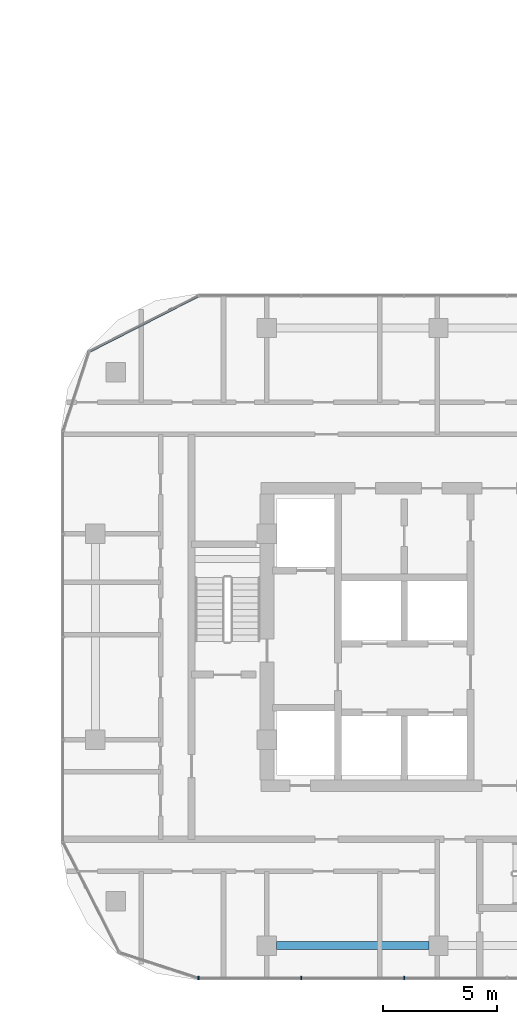
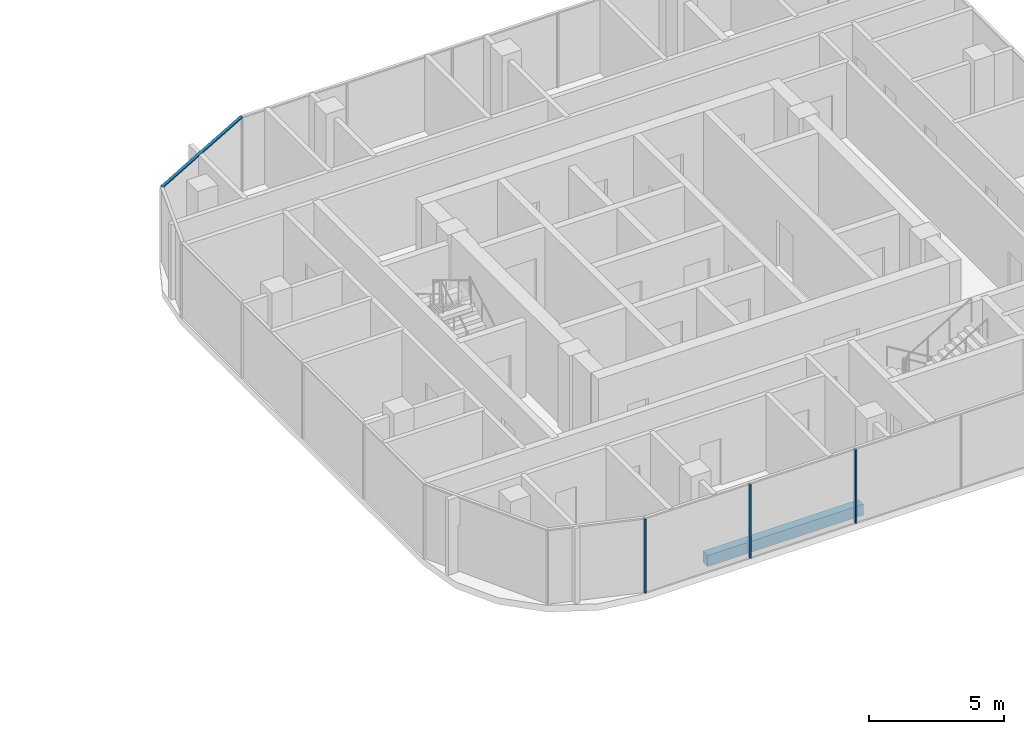
# One storey, part 10 of 33: 4 members, 1 beam, 2 elements without a shape of their own.
"""IFC4 building model written with IfcOpenShell, lengths in metres."""

from ifc_helpers import new_model, si_unit, direction, frame, origin, origin_2d, place, context, subcontext, project, spatial, rectangle, extrude, material, material_profile, profile_set, type_object, element, aggregate, save


model = new_model("IFC4")

# Units and contexts
model_context = context("Model", 3, precision=1e-05, world=origin(), true_north=direction((0.0, 1.0)))
body_context = subcontext(model_context, "Body", "Model", "MODEL_VIEW")
ifc_project = project(units=[si_unit("LENGTHUNIT", "METRE"), si_unit("AREAUNIT", "SQUARE_METRE"), si_unit("VOLUMEUNIT", "CUBIC_METRE"), si_unit("PLANEANGLEUNIT", "RADIAN"), si_unit("MASSUNIT", "GRAM", prefix="KILO")], contexts=[model_context])

# Site, building, storey
site_placement = place(None, origin())
site = spatial("IfcSite", under=ifc_project, at=site_placement, CompositionType="ELEMENT")
building_placement = place(site_placement, origin())
building = spatial("IfcBuilding", under=site, at=building_placement, Name="Ogive Portal Towers", CompositionType="ELEMENT")
storey_placement = place(building_placement, frame((0.0, 0.0, 77.89990234375)))
storey = spatial("IfcBuildingStorey", under=building, at=storey_placement, Name="L18", CompositionType="ELEMENT", Elevation=77.89990234375)

# Curtain wall, members
ifc_material_1 = material(Name="Glass, clear low-iron insulated glazing", Category="glass")
curtain_wall_type = type_object("IfcCurtainWallType", Name="CW RESIDENCES RIBBON", PredefinedType="NOTDEFINED", material=ifc_material_1)
curtain_wall_1_placement = place(storey_placement, origin())
curtain_wall_1 = element("IfcCurtainWall", 1, at=curtain_wall_1_placement, inside=storey, type_object=curtain_wall_type, Name="B:L18:f02:cw0", PredefinedType="NOTDEFINED")
ifc_material_2 = material(Name="Aluminium 6063 anodised", Category="aluminium")
ifc_material_profile_1 = material_profile(ifc_material_2, rectangle(XDim=0.159912109375, YDim=0.06005859375, at=origin_2d()), Name="AL 60x160")
ifc_profile_set_1 = profile_set([ifc_material_profile_1], Name="Aluminium 6063 anodised")
member_type_1 = type_object("IfcMemberType", Name="CW MULLION 60x160", PredefinedType="MULLION", material=ifc_profile_set_1)
member_1_placement = place(storey_placement, frame((126.0126953125, 16.080078125, 0.0), z_axis=(0.0, 0.0, 1.0), x_axis=(0.0, 1.0, 0.0)))
member_1 = element("IfcMember", 2, at=member_1_placement, type_object=member_type_1, Name="mullion", PredefinedType="MULLION", context=body_context, shape_type="SweptSolid", body=[
    extrude(rectangle(XDim=0.159912109375, YDim=0.06005859375, at=origin_2d()), origin(), (0.0, 0.0, 1.0), 3.340087890625),
])
member_2_placement = place(storey_placement, frame((130.5, 16.080078125, 0.0), z_axis=(0.0, 0.0, 1.0), x_axis=(0.0, 1.0, 0.0)))
member_2 = element("IfcMember", 3, at=member_2_placement, type_object=member_type_1, Name="mullion", PredefinedType="MULLION", context=body_context, shape_type="SweptSolid", body=[
    extrude(rectangle(XDim=0.159912109375, YDim=0.06005859375, at=origin_2d()), origin(), (0.0, 0.0, 1.0), 3.340087890625),
])
member_3_placement = place(storey_placement, frame((135.0, 16.080078125, 0.0), z_axis=(0.0, 0.0, 1.0), x_axis=(0.0, 1.0, 0.0)))
member_3 = element("IfcMember", 4, at=member_3_placement, type_object=member_type_1, Name="mullion", PredefinedType="MULLION", context=body_context, shape_type="SweptSolid", body=[
    extrude(rectangle(XDim=0.159912109375, YDim=0.06005859375, at=origin_2d()), origin(), (0.0, 0.0, 1.0), 3.340087890625),
])
aggregate(curtain_wall_1, [member_1, member_2, member_3])

# Curtain wall, member
curtain_wall_2_placement = place(storey_placement, origin())
curtain_wall_2 = element("IfcCurtainWall", 5, at=curtain_wall_2_placement, inside=storey, type_object=curtain_wall_type, Name="B:L18:f09:cwa", PredefinedType="NOTDEFINED")
ifc_material_profile_2 = material_profile(ifc_material_2, rectangle(XDim=0.1201171875, YDim=0.06005859375, at=origin_2d()), Name="AL 120x60")
ifc_profile_set_2 = profile_set([ifc_material_profile_2], Name="Aluminium 6063 anodised")
member_type_2 = type_object("IfcMemberType", Name="CW TRANSOM 60x120", PredefinedType="USERDEFINED", material=ifc_profile_set_2)
member_4_placement = place(storey_placement, frame((126.019287109375, 45.919921875, 3.3701171875), z_axis=(-0.891017050983, -0.453969839149, 0.0), x_axis=(0.453969839149, -0.891017050983, 0.0)))
member_4 = element("IfcMember", 6, at=member_4_placement, type_object=member_type_2, Name="transom", ObjectType="TRANSOM", PredefinedType="USERDEFINED", context=body_context, shape_type="SweptSolid", body=[
    extrude(rectangle(XDim=0.1201171875, YDim=0.06005859375, at=origin_2d()), origin(), (0.0, 0.0, 1.0), 5.395751953125),
])
aggregate(curtain_wall_2, [member_4])

# Beam
ifc_material_3 = material(Name="Concrete C50/60", Category="concrete")
ifc_material_profile_3 = material_profile(ifc_material_3, rectangle(XDim=0.35009765625, YDim=0.5, at=origin_2d()), Name="RC 350x500")
ifc_profile_set_3 = profile_set([ifc_material_profile_3], Name="Concrete C50/60")
beam_type = type_object("IfcBeamType", Name="SPANDREL BEAM RC 350x500", PredefinedType="BEAM", material=ifc_profile_set_3)
beam_placement = place(storey_placement, frame((129.425048828125, 17.5, -0.5498046875), z_axis=(1.0, 0.0, 0.0), x_axis=(0.0, 1.0, 0.0)))
element("IfcBeam", 7, at=beam_placement, inside=storey, type_object=beam_type, Name="Spandrel beam L18", PredefinedType="BEAM", context=body_context, shape_type="SweptSolid", body=[
    extrude(rectangle(XDim=0.35009765625, YDim=0.5, at=origin_2d()), origin(), (0.0, 0.0, 1.0), 6.64990234375),
])

save(model, "model.ifc")
